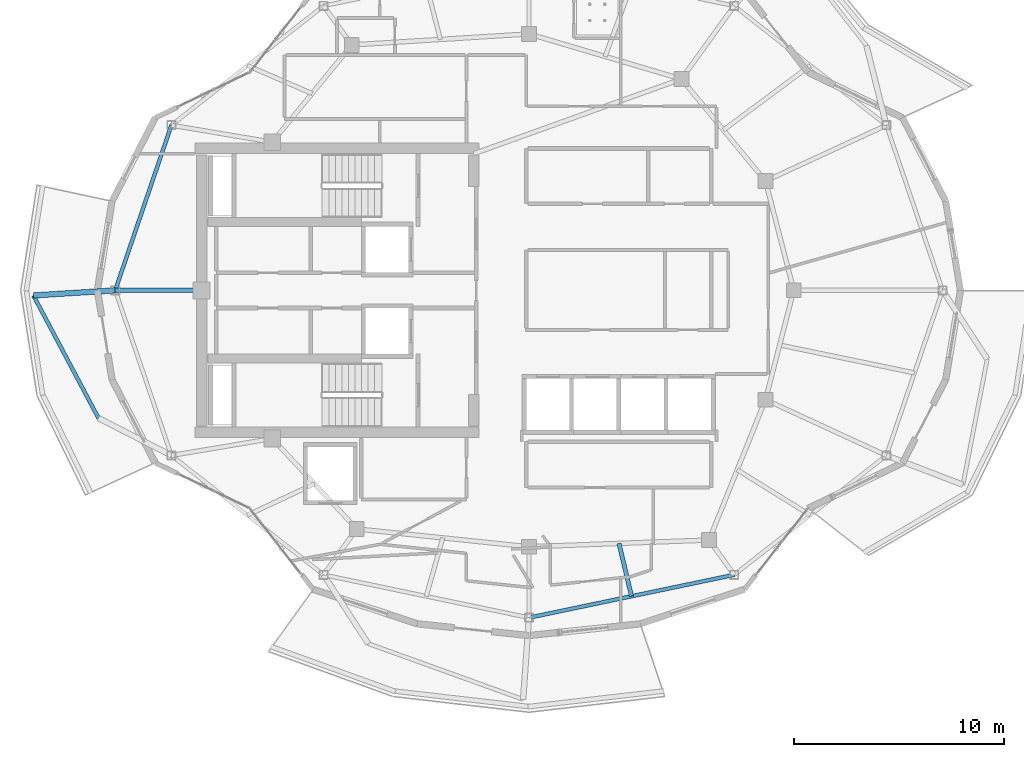
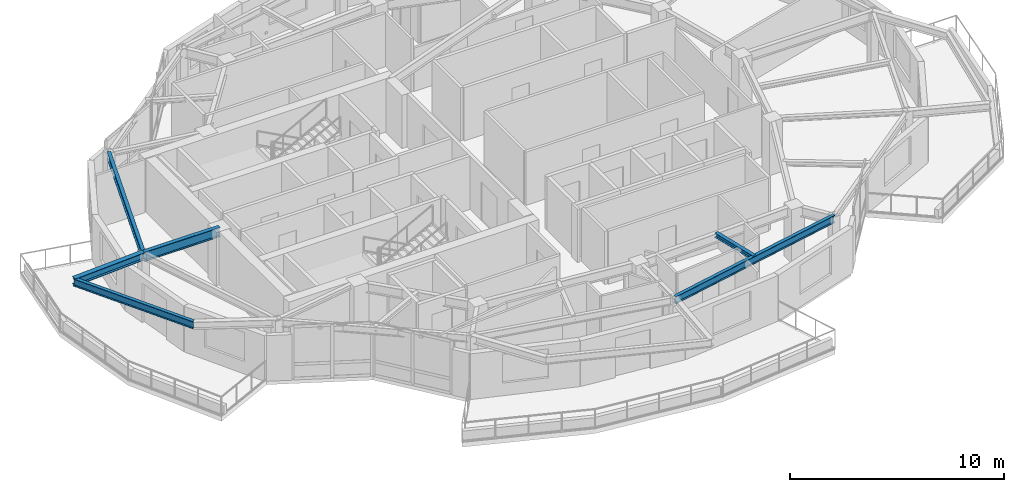
# One storey, part 3 of 15: 6 beams.
"""IFC4 building model written with IfcOpenShell, lengths in metres."""

from ifc_helpers import new_model, si_unit, direction, frame, origin, origin_2d, place, context, subcontext, project, spatial, i_section, extrude, material, material_profile, profile_set, type_object, element, save


model = new_model("IFC4")

# Units and contexts
model_context = context("Model", 3, precision=1e-05, world=origin(), true_north=direction((0.0, 1.0)))
body_context = subcontext(model_context, "Body", "Model", "MODEL_VIEW")
ifc_project = project(units=[si_unit("LENGTHUNIT", "METRE"), si_unit("AREAUNIT", "SQUARE_METRE"), si_unit("VOLUMEUNIT", "CUBIC_METRE"), si_unit("PLANEANGLEUNIT", "RADIAN"), si_unit("MASSUNIT", "GRAM", prefix="KILO")], contexts=[model_context])

# Site, building, storey
site_placement = place(None, origin())
site = spatial("IfcSite", under=ifc_project, at=site_placement, CompositionType="ELEMENT")
building_placement = place(site_placement, origin())
building = spatial("IfcBuilding", under=site, at=building_placement, Name="Kolvaren Gate Tower and Convention Centre", CompositionType="ELEMENT")
storey_placement = place(building_placement, frame((0.0, 0.0, 265.699951171875)))
storey = spatial("IfcBuildingStorey", under=building, at=storey_placement, Name="L72", CompositionType="ELEMENT", Elevation=265.699951171875)

# Beams
ifc_material = material(Name="Structural steel ASTM A992 Grade 345 MPa", Category="steel")
ifc_material_profile_1 = material_profile(ifc_material, i_section(OverallWidth=0.260009765625, OverallDepth=0.419921875, WebThickness=0.013427734375, FlangeThickness=0.0224609375, at=origin_2d()), Name="W410X132")
ifc_profile_set_1 = profile_set([ifc_material_profile_1], Name="Structural steel ASTM A992 Grade 345 MPa")
beam_type_1 = type_object("IfcBeamType", Name="STR-BM-W410X132", PredefinedType="BEAM", material=ifc_profile_set_1)
beam_1_placement = place(storey_placement, frame((10.44384765625, 27.0, 2.820556640625), z_axis=(-0.998046484143, -0.062475719198, 0.0), x_axis=(0.062475719198, -0.998046484143, 0.0)))
element("IfcBeam", 1, at=beam_1_placement, inside=storey, type_object=beam_type_1, Name="Tower L73 Planted Balcony Outrigger Cantilever BC-2A", PredefinedType="BEAM", context=body_context, shape_type="SweptSolid", body=[
    extrude(i_section(OverallWidth=0.260009765625, OverallDepth=0.419921875, WebThickness=0.013427734375, FlangeThickness=0.0224609375, at=origin_2d()), origin(), (0.0, 0.0, 1.0), 3.89990234375),
])
ifc_material_profile_2 = material_profile(ifc_material, i_section(OverallWidth=0.2119140625, OverallDepth=0.5439453125, WebThickness=0.01318359375, FlangeThickness=0.021240234375, at=origin_2d()), Name="W530X123")
ifc_profile_set_2 = profile_set([ifc_material_profile_2], Name="Structural steel ASTM A992 Grade 345 MPa")
beam_type_2 = type_object("IfcBeamType", Name="STR-BM-W530X123", PredefinedType="BEAM", material=ifc_profile_set_2)
beam_2_placement = place(storey_placement, frame((14.550048828125, 27.0, 2.758056640625), z_axis=(-1.0, 0.0, 0.0), x_axis=(0.0, -1.0, 0.0)))
element("IfcBeam", 2, at=beam_2_placement, inside=storey, type_object=beam_type_2, Name="Tower L72 Radial Floor Girder RB-07", PredefinedType="BEAM", context=body_context, shape_type="SweptSolid", body=[
    extrude(i_section(OverallWidth=0.2119140625, OverallDepth=0.5439453125, WebThickness=0.01318359375, FlangeThickness=0.021240234375, at=origin_2d()), origin(), (0.0, 0.0, 1.0), 4.106201171875),
])
ifc_material_profile_3 = material_profile(ifc_material, i_section(OverallWidth=0.202880859375, OverallDepth=0.251953125, WebThickness=0.008056640625, FlangeThickness=0.013427734375, at=origin_2d()), Name="W250X58")
ifc_profile_set_3 = profile_set([ifc_material_profile_3], Name="Structural steel ASTM A992 Grade 345 MPa")
beam_type_3 = type_object("IfcBeamType", Name="STR-JS-W250X58", PredefinedType="JOIST", material=ifc_profile_set_3)
beam_3_placement = place(storey_placement, frame((34.41162109375, 14.960205078125, 2.904052734375), z_axis=(0.231075782924, -0.972935754583, 0.0), x_axis=(0.972935754583, 0.231075782924, 0.0)))
element("IfcBeam", 3, at=beam_3_placement, inside=storey, type_object=beam_type_3, Name="Tower L72 Secondary Composite Floor Joist J-10.1", PredefinedType="JOIST", context=body_context, shape_type="SweptSolid", body=[
    extrude(i_section(OverallWidth=0.202880859375, OverallDepth=0.251953125, WebThickness=0.008056640625, FlangeThickness=0.013427734375, at=origin_2d()), origin(), (0.0, 0.0, 1.0), 2.58544921875),
])
ifc_material_profile_4 = material_profile(ifc_material, i_section(OverallWidth=0.180908203125, OverallDepth=0.4169921875, WebThickness=0.010986328125, FlangeThickness=0.018310546875, at=origin_2d()), Name="W410X85")
ifc_profile_set_4 = profile_set([ifc_material_profile_4], Name="Structural steel ASTM A992 Grade 345 MPa")
beam_type_4 = type_object("IfcBeamType", Name="STR-SP-W410X85", PredefinedType="SPANDREL", material=ifc_profile_set_4)
beam_4_placement = place(storey_placement, frame((13.1162109375, 34.856201171875, 2.821533203125), z_axis=(-0.322038282171, -0.946726647357, 0.0), x_axis=(0.946726647357, -0.322038282171, 0.0)))
element("IfcBeam", 4, at=beam_4_placement, inside=storey, type_object=beam_type_4, Name="Tower L72 Perimeter Spandrel Beam SP-06", PredefinedType="SPANDREL", context=body_context, shape_type="SweptSolid", body=[
    extrude(i_section(OverallWidth=0.180908203125, OverallDepth=0.4169921875, WebThickness=0.010986328125, FlangeThickness=0.018310546875, at=origin_2d()), origin(), (0.0, 0.0, 1.0), 8.29833984375),
])
beam_5_placement = place(storey_placement, frame((30.125, 11.425048828125, 2.821533203125), z_axis=(0.978885668593, 0.204408531681, 0.0), x_axis=(-0.204408531681, 0.978885668593, 0.0)))
element("IfcBeam", 5, at=beam_5_placement, inside=storey, type_object=beam_type_4, Name="Tower L72 Perimeter Spandrel Beam SP-10", PredefinedType="SPANDREL", context=body_context, shape_type="SweptSolid", body=[
    extrude(i_section(OverallWidth=0.180908203125, OverallDepth=0.4169921875, WebThickness=0.010986328125, FlangeThickness=0.018310546875, at=origin_2d()), origin(), (0.0, 0.0, 1.0), 9.97900390625),
])
beam_6_placement = place(storey_placement, frame((6.551513671875, 26.75634765625, 2.822021484375), z_axis=(0.468677532084, -0.883369328718, 0.0), x_axis=(0.883369328718, 0.468677532084, 0.0)))
element("IfcBeam", 6, at=beam_6_placement, inside=storey, type_object=beam_type_4, Name="Tower L73 Planted Balcony Header Tie Beam BT-2", PredefinedType="SPANDREL", context=body_context, shape_type="SweptSolid", body=[
    extrude(i_section(OverallWidth=0.180908203125, OverallDepth=0.4169921875, WebThickness=0.010986328125, FlangeThickness=0.018310546875, at=origin_2d()), origin(), (0.0, 0.0, 1.0), 6.6025390625),
])

save(model, "model.ifc")
